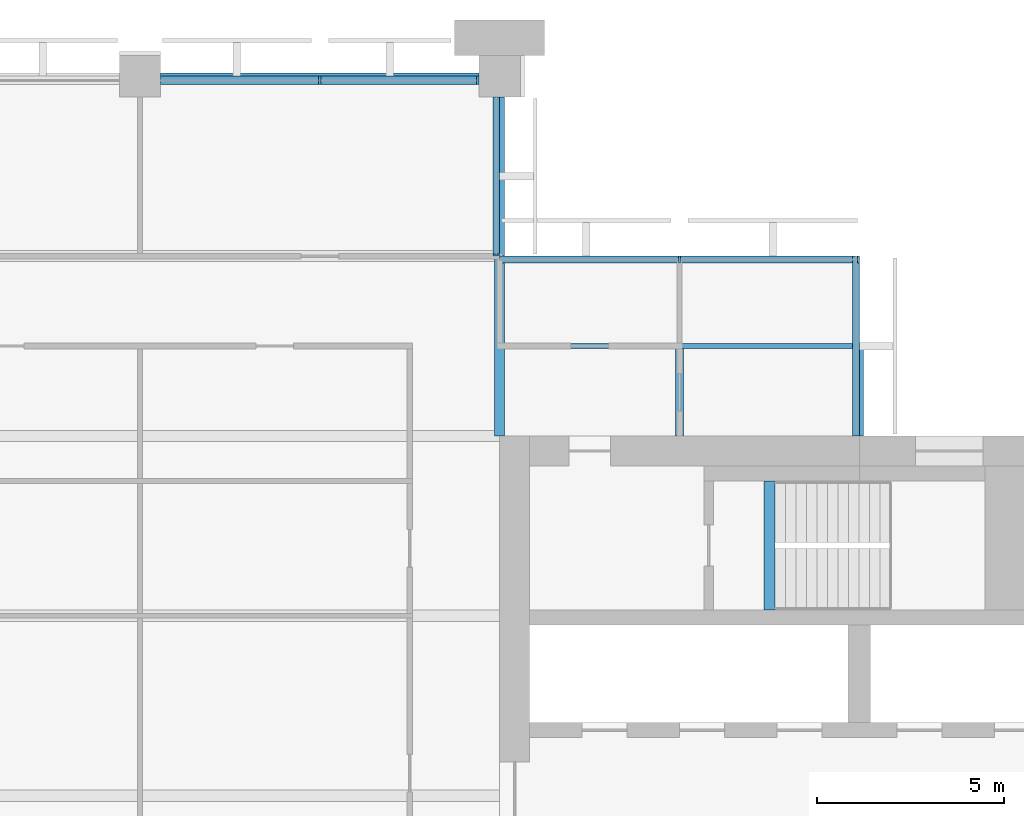
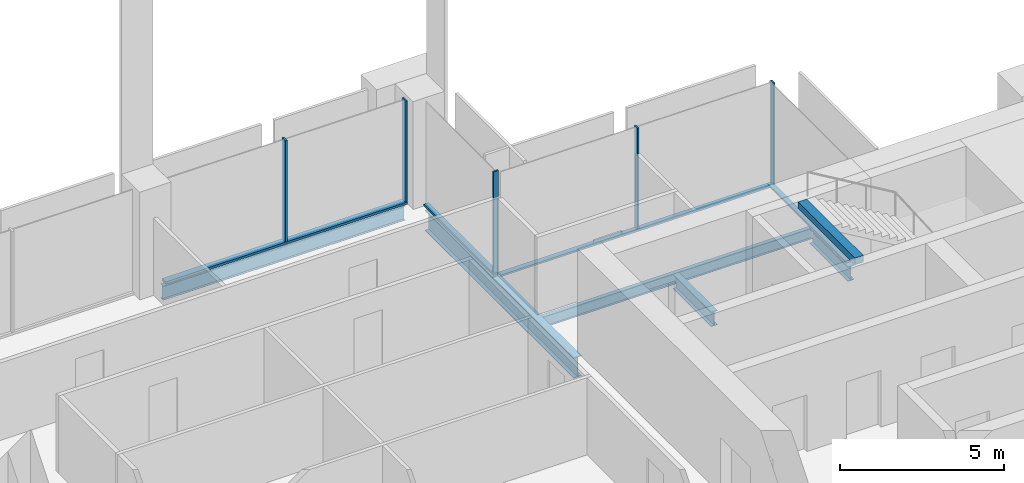
# One storey, part 6 of 13: 9 members, 6 beams, 4 elements without a shape of their own.
"""IFC4 building model written with IfcOpenShell, lengths in metres."""

from ifc_helpers import new_model, si_unit, direction, frame, origin, origin_2d, place, context, subcontext, project, spatial, rectangle, i_section, extrude, material, material_profile, profile_set, type_object, element, aggregate, save


model = new_model("IFC4")

# Units and contexts
model_context = context("Model", 3, precision=1e-05, world=origin(), true_north=direction((0.0, 1.0)))
body_context = subcontext(model_context, "Body", "Model", "MODEL_VIEW")
ifc_project = project(units=[si_unit("LENGTHUNIT", "METRE"), si_unit("AREAUNIT", "SQUARE_METRE"), si_unit("VOLUMEUNIT", "CUBIC_METRE"), si_unit("PLANEANGLEUNIT", "RADIAN"), si_unit("MASSUNIT", "GRAM", prefix="KILO")], contexts=[model_context])

# Site, building, storey
site_placement = place(None, origin())
site = spatial("IfcSite", under=ifc_project, at=site_placement, CompositionType="ELEMENT")
building_placement = place(site_placement, origin())
building = spatial("IfcBuilding", under=site, at=building_placement, Name="Baori Bourse Tower", CompositionType="ELEMENT")
storey_placement = place(building_placement, frame((0.0, 0.0, 225.199951171875)))
storey = spatial("IfcBuildingStorey", under=building, at=storey_placement, Name="L49", CompositionType="ELEMENT", Elevation=225.199951171875)

# Curtain wall, members
ifc_material_1 = material(Name="Pale anodised aluminium", Category="aluminium")
curtain_wall_type_1 = type_object("IfcCurtainWallType", Name="CW2 Curtain wall", PredefinedType="NOTDEFINED", material=ifc_material_1)
curtain_wall_1_placement = place(storey_placement, origin())
curtain_wall_1 = element("IfcCurtainWall", 1, at=curtain_wall_1_placement, inside=storey, type_object=curtain_wall_type_1, Name="Curtain wall CW2 L49 2", PredefinedType="NOTDEFINED")
ifc_material_2 = material(Name="Pale anodised aluminium", Category="aluminium")
ifc_material_profile_1 = material_profile(ifc_material_2, rectangle(XDim=0.179931640625, YDim=0.054931640625, at=origin_2d()), Name="Mullion 55x180")
ifc_profile_set_1 = profile_set([ifc_material_profile_1], Name="Pale anodised aluminium")
member_type_1 = type_object("IfcMemberType", Name="CW2 Curtain wall mullion", PredefinedType="MULLION", material=ifc_profile_set_1)
member_1_placement = place(storey_placement, frame((47.972412109375, 43.110107421875, 0.070068359375), z_axis=(0.0, 0.0, 1.0), x_axis=(0.0, -1.0, 0.0)))
member_1 = element("IfcMember", 2, at=member_1_placement, type_object=member_type_1, Name="Curtain wall CW2 mullion", PredefinedType="MULLION", context=body_context, shape_type="SweptSolid", body=[
    extrude(rectangle(XDim=0.179931640625, YDim=0.054931640625, at=origin_2d()), origin(), (0.0, 0.0, 1.0), 3.77001953125),
])
member_2_placement = place(storey_placement, frame((43.199951171875, 43.110107421875, 0.070068359375), z_axis=(0.0, 0.0, 1.0), x_axis=(0.0, -1.0, 0.0)))
member_2 = element("IfcMember", 3, at=member_2_placement, type_object=member_type_1, Name="Curtain wall CW2 mullion", PredefinedType="MULLION", context=body_context, shape_type="SweptSolid", body=[
    extrude(rectangle(XDim=0.179931640625, YDim=0.054931640625, at=origin_2d()), origin(), (0.0, 0.0, 1.0), 3.77001953125),
])

# Curtain wall, member
curtain_wall_2_placement = place(storey_placement, origin())
curtain_wall_2 = element("IfcCurtainWall", 4, at=curtain_wall_2_placement, inside=storey, type_object=curtain_wall_type_1, Name="Curtain wall CW2 L49 3", PredefinedType="NOTDEFINED")
member_3_placement = place(storey_placement, frame((38.31005859375, 43.2275390625, 0.070068359375), z_axis=(0.0, 0.0, 1.0), x_axis=(-1.0, 0.0, 0.0)))
member_3 = element("IfcMember", 5, at=member_3_placement, type_object=member_type_1, Name="Curtain wall CW2 mullion", PredefinedType="MULLION", context=body_context, shape_type="SweptSolid", body=[
    extrude(rectangle(XDim=0.179931640625, YDim=0.054931640625, at=origin_2d()), origin(), (0.0, 0.0, 1.0), 3.77001953125),
])

curtain_wall_3_placement = place(storey_placement, origin())
curtain_wall_3 = element("IfcCurtainWall", 6, at=curtain_wall_3_placement, inside=storey, type_object=curtain_wall_type_1, Name="Curtain wall CW2 L49 1", PredefinedType="NOTDEFINED")
ifc_material_3 = material(Name="Pale anodised aluminium", Category="aluminium")
ifc_material_profile_2 = material_profile(ifc_material_3, rectangle(XDim=0.179931640625, YDim=0.070068359375, at=origin_2d()), Name="Transom 70x180")
ifc_profile_set_2 = profile_set([ifc_material_profile_2], Name="Pale anodised aluminium")
member_type_2 = type_object("IfcMemberType", Name="CW2 Curtain wall transom", PredefinedType="USERDEFINED", material=ifc_profile_set_2)
member_4_placement = place(storey_placement, frame((47.909912109375, 38.39990234375, 0.03515625), z_axis=(0.0, 1.0, 0.0), x_axis=(-1.0, 0.0, 0.0)))
member_4 = element("IfcMember", 7, at=member_4_placement, type_object=member_type_2, Name="Curtain wall CW2 sill rail", ObjectType="TRANSOM", PredefinedType="USERDEFINED", context=body_context, shape_type="SweptSolid", body=[
    extrude(rectangle(XDim=0.179931640625, YDim=0.070068359375, at=origin_2d()), origin(), (0.0, 0.0, 1.0), 4.800048828125),
])
aggregate(curtain_wall_3, [member_4])

# Member
member_5_placement = place(storey_placement, frame((48.0, 43.110107421875, 0.03515625), z_axis=(-1.0, 0.0, 0.0), x_axis=(0.0, -1.0, 0.0)))
member_5 = element("IfcMember", 8, at=member_5_placement, type_object=member_type_2, Name="Curtain wall CW2 sill rail", ObjectType="TRANSOM", PredefinedType="USERDEFINED", context=body_context, shape_type="SweptSolid", body=[
    extrude(rectangle(XDim=0.179931640625, YDim=0.070068359375, at=origin_2d()), origin(), (0.0, 0.0, 1.0), 9.60009765625),
])

aggregate(curtain_wall_1, [member_5, member_1, member_2])

member_6_placement = place(storey_placement, frame((38.31005859375, 43.199951171875, 0.03515625), z_axis=(0.0, 1.0, 0.0), x_axis=(-1.0, 0.0, 0.0)))
member_6 = element("IfcMember", 9, at=member_6_placement, type_object=member_type_2, Name="Curtain wall CW2 sill rail", ObjectType="TRANSOM", PredefinedType="USERDEFINED", context=body_context, shape_type="SweptSolid", body=[
    extrude(rectangle(XDim=0.179931640625, YDim=0.070068359375, at=origin_2d()), origin(), (0.0, 0.0, 1.0), 4.25),
])

aggregate(curtain_wall_2, [member_6, member_3])

# Curtain wall, members
ifc_material_4 = material(Name="Pale anodised aluminium", Category="aluminium")
curtain_wall_type_2 = type_object("IfcCurtainWallType", Name="CW5 Curtain wall", PredefinedType="NOTDEFINED", material=ifc_material_4)
curtain_wall_4_placement = place(storey_placement, origin())
curtain_wall_4 = element("IfcCurtainWall", 10, at=curtain_wall_4_placement, inside=storey, type_object=curtain_wall_type_2, Name="Curtain wall CW5 L49 4", PredefinedType="NOTDEFINED")
ifc_material_5 = material(Name="Pale anodised aluminium", Category="aluminium")
ifc_material_profile_3 = material_profile(ifc_material_5, rectangle(XDim=0.219970703125, YDim=0.06494140625, at=origin_2d()), Name="Mullion 65x220")
ifc_profile_set_3 = profile_set([ifc_material_profile_3], Name="Pale anodised aluminium")
member_type_3 = type_object("IfcMemberType", Name="CW5 Curtain wall mullion", PredefinedType="MULLION", material=ifc_profile_set_3)
member_7_placement = place(storey_placement, frame((37.8173828125, 47.889892578125, 0.0849609375), z_axis=(0.0, 0.0, 1.0), x_axis=(0.0, -1.0, 0.0)))
member_7 = element("IfcMember", 11, at=member_7_placement, type_object=member_type_3, Name="Curtain wall CW5 mullion", PredefinedType="MULLION", context=body_context, shape_type="SweptSolid", body=[
    extrude(rectangle(XDim=0.219970703125, YDim=0.06494140625, at=origin_2d()), origin(), (0.0, 0.0, 1.0), 3.755126953125),
])
member_8_placement = place(storey_placement, frame((33.60009765625, 47.889892578125, 0.0849609375), z_axis=(0.0, 0.0, 1.0), x_axis=(0.0, -1.0, 0.0)))
member_8 = element("IfcMember", 12, at=member_8_placement, type_object=member_type_3, Name="Curtain wall CW5 mullion", PredefinedType="MULLION", context=body_context, shape_type="SweptSolid", body=[
    extrude(rectangle(XDim=0.219970703125, YDim=0.06494140625, at=origin_2d()), origin(), (0.0, 0.0, 1.0), 3.755126953125),
])
ifc_material_6 = material(Name="Pale anodised aluminium", Category="aluminium")
ifc_material_profile_4 = material_profile(ifc_material_6, rectangle(XDim=0.219970703125, YDim=0.0849609375, at=origin_2d()), Name="Transom 85x220")
ifc_profile_set_4 = profile_set([ifc_material_profile_4], Name="Pale anodised aluminium")
member_type_4 = type_object("IfcMemberType", Name="CW5 Curtain wall transom", PredefinedType="USERDEFINED", material=ifc_profile_set_4)
member_9_placement = place(storey_placement, frame((37.85009765625, 47.889892578125, 0.04248046875), z_axis=(-1.0, 0.0, 0.0), x_axis=(0.0, -1.0, 0.0)))
member_9 = element("IfcMember", 13, at=member_9_placement, type_object=member_type_4, Name="Curtain wall CW5 sill rail", ObjectType="TRANSOM", PredefinedType="USERDEFINED", context=body_context, shape_type="SweptSolid", body=[
    extrude(rectangle(XDim=0.219970703125, YDim=0.0849609375, at=origin_2d()), origin(), (0.0, 0.0, 1.0), 8.5),
])
aggregate(curtain_wall_4, [member_9, member_7, member_8])

# Beams
ifc_material_7 = material(Name="Steel A992 Gr 50", Category="steel")
ifc_material_profile_5 = material_profile(ifc_material_7, i_section(OverallWidth=0.21240234375, OverallDepth=0.54345703125, WebThickness=0.01318359375, FlangeThickness=0.021240234375, at=origin_2d()), Name="W21x83")
ifc_profile_set_5 = profile_set([ifc_material_profile_5], Name="Steel A992 Gr 50")
beam_type_1 = type_object("IfcBeamType", Name="Core bracket W21x83", PredefinedType="BEAM", material=ifc_profile_set_5)
for number, where, z_axis, x_axis, name in (
    (14, (43.199951171875, 38.39990234375, -0.431640625), (0.0, 1.0, 0.0), (-1.0, 0.0, 0.0), "Core bracket L49"),
    (15, (48.0, 38.39990234375, -0.431640625), (0.0, 1.0, 0.0), (-1.0, 0.0, 0.0), "Core bracket L49"),
):
    element("IfcBeam", number, at=place(storey_placement, frame(where, z_axis=z_axis, x_axis=x_axis)), inside=storey, type_object=beam_type_1, Name=name, PredefinedType="BEAM", context=body_context, shape_type="SweptSolid", body=[
        extrude(i_section(OverallWidth=0.21240234375, OverallDepth=0.54345703125, WebThickness=0.01318359375, FlangeThickness=0.021240234375, at=origin_2d()), origin(), (0.0, 0.0, 1.0), 2.329833984375),
    ])
ifc_material_8 = material(Name="Steel A992 Gr 50", Category="steel")
ifc_material_profile_6 = material_profile(ifc_material_8, i_section(OverallWidth=0.1650390625, OverallDepth=0.52587890625, WebThickness=0.0087890625, FlangeThickness=0.011474609375, at=origin_2d()), Name="W21x44")
ifc_profile_set_6 = profile_set([ifc_material_profile_6], Name="Steel A992 Gr 50")
beam_type_2 = type_object("IfcBeamType", Name="Edge beam W21x44", PredefinedType="BEAM", material=ifc_profile_set_6)
beam_1_placement = place(storey_placement, frame((29.35009765625, 48.0, -0.4228515625), z_axis=(1.0, 0.0, 0.0), x_axis=(0.0, 1.0, 0.0)))
element("IfcBeam", 16, at=beam_1_placement, inside=storey, type_object=beam_type_2, Name="Edge beam L49", PredefinedType="BEAM", context=body_context, shape_type="SweptSolid", body=[
    extrude(i_section(OverallWidth=0.1650390625, OverallDepth=0.52587890625, WebThickness=0.0087890625, FlangeThickness=0.011474609375, at=origin_2d()), origin(), (0.0, 0.0, 1.0), 8.5),
])
ifc_material_9 = material(Name="Steel A992 Gr 50", Category="steel")
ifc_material_profile_7 = material_profile(ifc_material_9, i_section(OverallWidth=0.2666015625, OverallDepth=0.76953125, WebThickness=0.015625, FlangeThickness=0.025390625, at=origin_2d()), Name="W30x132")
ifc_profile_set_7 = profile_set([ifc_material_profile_7], Name="Steel A992 Gr 50")
beam_type_3 = type_object("IfcBeamType", Name="Girder W30x132", PredefinedType="BEAM", material=ifc_profile_set_7)
beam_2_placement = place(storey_placement, frame((38.39990234375, 38.39990234375, -0.544677734375), z_axis=(0.0, 1.0, 0.0), x_axis=(-1.0, 0.0, 0.0)))
element("IfcBeam", 17, at=beam_2_placement, inside=storey, type_object=beam_type_3, Name="Girder L49", PredefinedType="BEAM", context=body_context, shape_type="SweptSolid", body=[
    extrude(i_section(OverallWidth=0.2666015625, OverallDepth=0.76953125, WebThickness=0.015625, FlangeThickness=0.025390625, at=origin_2d()), origin(), (0.0, 0.0, 1.0), 9.050048828125),
])
ifc_material_10 = material(Name="Concrete f'c 50 MPa", Category="concrete")
ifc_material_profile_8 = material_profile(ifc_material_10, rectangle(XDim=0.300048828125, YDim=0.25, at=origin_2d()), Name="RC 300x250")
ifc_profile_set_8 = profile_set([ifc_material_profile_8], Name="Concrete f'c 50 MPa")
beam_type_4 = type_object("IfcBeamType", Name="Stair nib beam RC 300x250", PredefinedType="BEAM", material=ifc_profile_set_8)
beam_3_placement = place(storey_placement, frame((45.60009765625, 33.75, 3.715087890625), z_axis=(0.0, 1.0, 0.0), x_axis=(-1.0, 0.0, 0.0)))
element("IfcBeam", 18, at=beam_3_placement, inside=storey, type_object=beam_type_4, Name="Stair EB nib beam L50", PredefinedType="BEAM", context=body_context, shape_type="SweptSolid", body=[
    extrude(rectangle(XDim=0.300048828125, YDim=0.25, at=origin_2d()), origin(), (0.0, 0.0, 1.0), 3.449951171875),
])
ifc_material_11 = material(Name="Steel A992 Gr 50", Category="steel")
ifc_material_profile_9 = material_profile(ifc_material_11, i_section(OverallWidth=0.140380859375, OverallDepth=0.40380859375, WebThickness=0.007080078125, FlangeThickness=0.01123046875, at=origin_2d()), Name="W16x31")
ifc_profile_set_9 = profile_set([ifc_material_profile_9], Name="Steel A992 Gr 50")
beam_type_5 = type_object("IfcBeamType", Name="Trimmer beam W16x31", PredefinedType="BEAM", material=ifc_profile_set_9)
beam_4_placement = place(storey_placement, frame((38.533447265625, 40.800048828125, -0.36181640625), z_axis=(1.0, 0.0, 0.0), x_axis=(0.0, 1.0, 0.0)))
element("IfcBeam", 19, at=beam_4_placement, inside=storey, type_object=beam_type_5, Name="Trimmer beam L49", PredefinedType="BEAM", context=body_context, shape_type="SweptSolid", body=[
    extrude(i_section(OverallWidth=0.140380859375, OverallDepth=0.40380859375, WebThickness=0.007080078125, FlangeThickness=0.01123046875, at=origin_2d()), origin(), (0.0, 0.0, 1.0), 9.466552734375),
])

save(model, "model.ifc")
